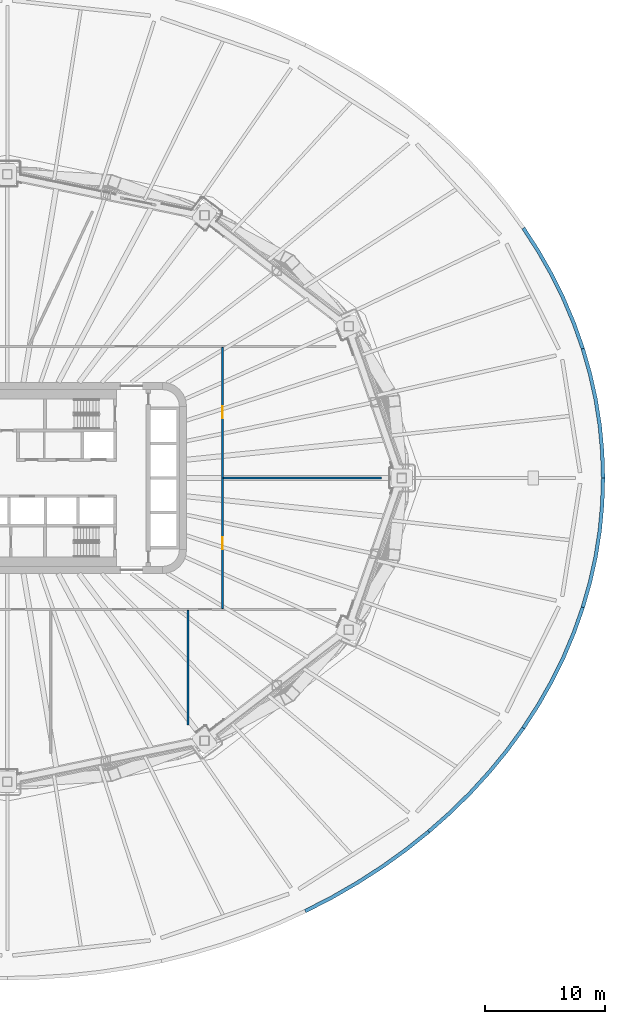
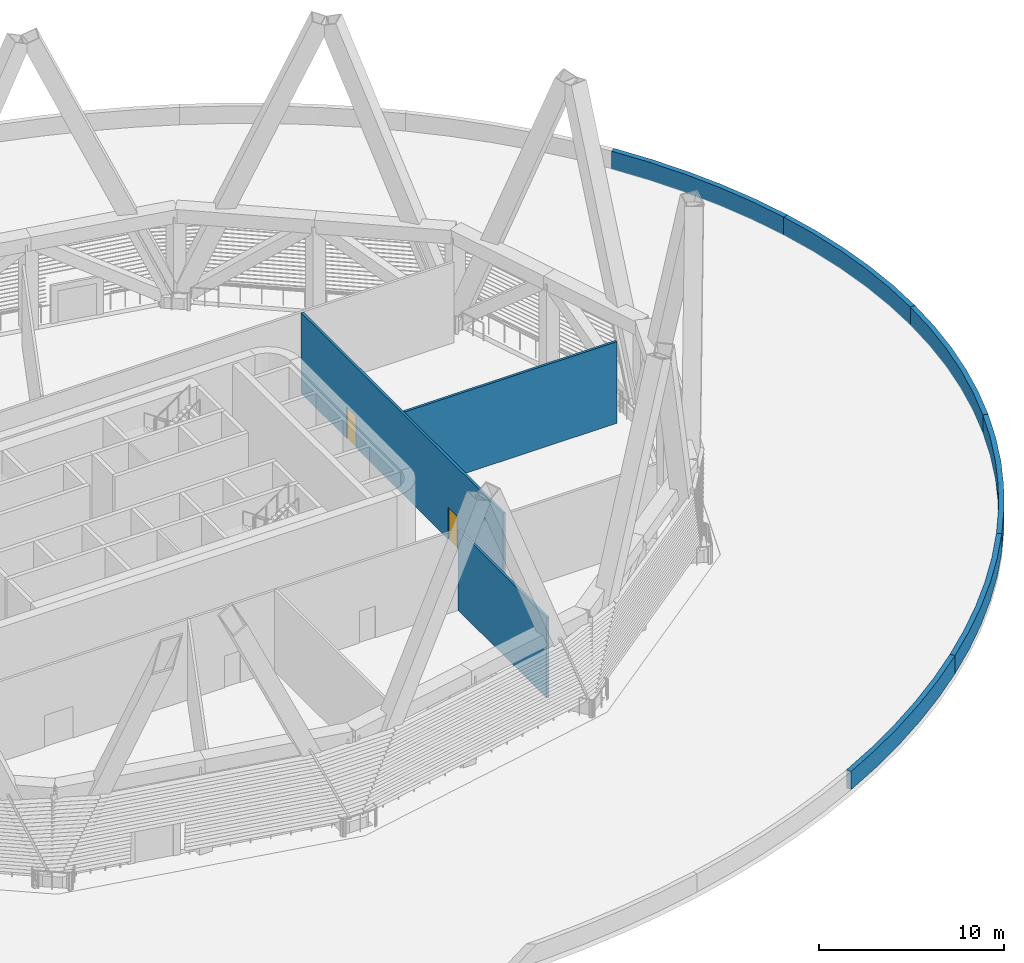
# One storey, part 11 of 27: 9 walls, 2 doors, 2 openings.
"""IFC4 building model written with IfcOpenShell, lengths in metres."""

import ifcopenshell
import ifcopenshell.guid

model = None  # the IFC model being written
_history = None  # IfcOwnerHistory: only IFC2X3 demands one
_inside = {}  # id of a spatial element -> (the spatial element, [elements in it])
_under = {}  # id of a project, library or spatial element -> (it, [spatial elements below it])
_declared = {}  # id of a project -> (the project, [libraries it declares])
_typed = {}  # id of a type object -> (the type object, [elements of that type])
_made_of = {}  # id of a material, layer set ... -> (it, [elements and type objects made of it])


def new_model(schema):
    """Start an empty IFC model of exactly this schema.

    Asked for "IFC4X3", IfcOpenShell would pick the latest addendum, in which some entities
    have other attributes; the version numbers below select the first issue.
    IFC2X3 requires an IfcOwnerHistory on every rooted entity: one is made here for all.
    """
    global model, _history
    if schema == "IFC4X3":
        model = ifcopenshell.file(schema_version=(4, 3, 0, 0))
    else:
        model = ifcopenshell.file(schema=schema)
    _inside.clear()
    _under.clear()
    _declared.clear()
    _typed.clear()
    _made_of.clear()
    _history = None
    if model.schema == "IFC2X3":
        org = make("IfcOrganization", Name="unknown")
        user = make(
            "IfcPersonAndOrganization",
            ThePerson=make("IfcPerson", FamilyName="unknown"),
            TheOrganization=org,
        )
        app = make(
            "IfcApplication",
            ApplicationDeveloper=org,
            Version="unknown",
            ApplicationFullName="unknown",
            ApplicationIdentifier="unknown",
        )
        _history = make(
            "IfcOwnerHistory",
            OwningUser=user,
            OwningApplication=app,
            ChangeAction="ADDED",
            CreationDate=0,
        )
    return model


def make(cls, **values):
    """One entity of the class cls with the attributes given. An attribute that is None is left unset."""
    return model.create_entity(
        cls, **{name: value for name, value in values.items() if value is not None}
    )


def rooted(cls, **values):
    """An entity with a GlobalId (a new one), such as an element, a storey or a relation."""
    return make(cls, GlobalId=ifcopenshell.guid.new(), OwnerHistory=_history, **values)


def si_unit(unit_type, name, prefix=None):
    """IfcSIUnit, for example si_unit("LENGTHUNIT", "METRE", prefix="MILLI")."""
    return make("IfcSIUnit", UnitType=unit_type, Prefix=prefix, Name=name)


def assignment(units):
    """IfcUnitAssignment: the units of a project."""
    return None if units is None else make("IfcUnitAssignment", Units=units)


def point(xyz):
    """IfcCartesianPoint."""
    return None if xyz is None else make("IfcCartesianPoint", Coordinates=xyz)


def direction(xyz):
    """IfcDirection."""
    return None if xyz is None else make("IfcDirection", DirectionRatios=xyz)


def frame(location, z_axis=None, x_axis=None):
    """IfcAxis2Placement3D, a coordinate frame: its origin and axes. An axis left out is left unset."""
    return make(
        "IfcAxis2Placement3D",
        Location=point(location),
        Axis=direction(z_axis),
        RefDirection=direction(x_axis),
    )


def frame_2d(location, x_axis=None):
    """IfcAxis2Placement2D, a coordinate frame in the plane: its origin and x axis."""
    return make(
        "IfcAxis2Placement2D", Location=point(location), RefDirection=direction(x_axis)
    )


def origin():
    """The frame at (0, 0, 0) with its axes left unset."""
    return frame((0.0, 0.0, 0.0))


def place(relative_to, where):
    """IfcLocalPlacement: puts the frame where relative to a parent placement (None: the world)."""
    return make(
        "IfcLocalPlacement", PlacementRelTo=relative_to, RelativePlacement=where
    )


def context(
    kind, dimensions, precision=None, world=None, true_north=None, identifier=None
):
    """IfcGeometricRepresentationContext, for example the 3D "Model" context."""
    return make(
        "IfcGeometricRepresentationContext",
        ContextIdentifier=identifier,
        ContextType=kind,
        CoordinateSpaceDimension=dimensions,
        Precision=precision,
        WorldCoordinateSystem=world,
        TrueNorth=true_north,
    )


def subcontext(parent, identifier, kind, view, scale=None):
    """IfcGeometricRepresentationSubContext, for example "Body" below "Model"."""
    return make(
        "IfcGeometricRepresentationSubContext",
        ContextIdentifier=identifier,
        ContextType=kind,
        ParentContext=parent,
        TargetScale=scale,
        TargetView=view,
    )


def project(units=None, contexts=None):
    """IfcProject with its units and contexts."""
    return rooted(
        "IfcProject",
        Name="project",
        RepresentationContexts=contexts,
        UnitsInContext=assignment(units),
    )


def spatial(cls, under=None, at=None, **own):
    """A site, building, storey or space (cls), placed at a placement, below another one or the project."""
    s = rooted(cls, ObjectPlacement=at, **own)
    if under is not None:
        _under.setdefault(under.id(), (under, []))[1].append(s)
    return s


def polyline(points):
    """IfcPolyline through the points."""
    return make("IfcPolyline", Points=[point(p) for p in points])


def profile(cls, at=None, kind="AREA", **sizes):
    """A parametric profile (cls). Its sizes go by their IFC names, for example OverallWidth=200.0."""
    return make(cls, ProfileType=kind, Position=at, **sizes)


def rectangle(**sizes):
    """IfcRectangleProfileDef."""
    return profile("IfcRectangleProfileDef", **sizes)


def outline(outer, holes=None, kind="AREA"):
    """IfcArbitraryClosedProfileDef: a profile drawn as a closed curve; with holes, ...WithVoids."""
    if holes is None:
        return make("IfcArbitraryClosedProfileDef", ProfileType=kind, OuterCurve=outer)
    return make(
        "IfcArbitraryProfileDefWithVoids",
        ProfileType=kind,
        OuterCurve=outer,
        InnerCurves=holes,
    )


def extrude(swept, where, along, depth):
    """IfcExtrudedAreaSolid: the profile swept, set in the frame where, extruded along a direction by depth."""
    return make(
        "IfcExtrudedAreaSolid",
        SweptArea=swept,
        Position=where,
        ExtrudedDirection=direction(along),
        Depth=depth,
    )


def shape(context_of_items, identifier, shape_type, items):
    """IfcShapeRepresentation: the items that make up one representation, for example the "Body"."""
    return make(
        "IfcShapeRepresentation",
        ContextOfItems=context_of_items,
        RepresentationIdentifier=identifier,
        RepresentationType=shape_type,
        Items=items,
    )


def material(Name=None, Category=None):
    """IfcMaterial."""
    return make("IfcMaterial", Name=Name, Category=Category)


def layer(
    of_material, thickness, ventilated=None, Name=None, Category=None, Priority=None
):
    """IfcMaterialLayer: one layer of a wall or slab, of a material (None: an air gap)."""
    return make(
        "IfcMaterialLayer",
        Material=of_material,
        LayerThickness=thickness,
        IsVentilated=ventilated,
        Name=Name,
        Category=Category,
        Priority=Priority,
    )


def layer_set(layers, Name=None):
    """IfcMaterialLayerSet."""
    return make("IfcMaterialLayerSet", MaterialLayers=layers, LayerSetName=Name)


def made_of(thing, what):
    """Note that an element or type object is made of a material, layer set ...; save() writes the relation."""
    if what is not None:
        _made_of.setdefault(what.id(), (what, []))[1].append(thing)
    return thing


def type_object(cls, material=None, **own):
    """A type object (cls), such as IfcWallType, which elements share."""
    return made_of(rooted(cls, **own), material)


def element(
    cls,
    number,
    at=None,
    inside=None,
    cuts=None,
    type_object=None,
    material=None,
    context=None,
    identifier="Body",
    shape_type=None,
    held_by="IfcProductDefinitionShape",
    body=None,
    shapes=None,
    **own,
):
    """One element of the class cls, such as IfcWall. Its Tag is "e" and its number.

    at: its placement. inside: the storey or other place that contains it. cuts: it is an
    opening in that element (IfcRelVoidsElement). A single representation is given by context,
    identifier, shape_type and body (its items); several are given by shapes. held_by: the class
    of the entity that holds the representations. save() writes the other relations.
    """
    e = rooted(cls, Tag="e%d" % number, ObjectPlacement=at, **own)
    if body is not None:
        shapes = [shape(context, identifier, shape_type, body)]
    if shapes is not None:
        e.Representation = make(held_by, Representations=shapes)
    if inside is not None:
        _inside.setdefault(inside.id(), (inside, []))[1].append(e)
    if cuts is not None:
        rooted(
            "IfcRelVoidsElement", RelatingBuildingElement=cuts, RelatedOpeningElement=e
        )
    if type_object is not None:
        _typed.setdefault(type_object.id(), (type_object, []))[1].append(e)
    return made_of(e, material)


def fill(opening, filler):
    """IfcRelFillsElement: the door or window that sits in an opening."""
    return rooted(
        "IfcRelFillsElement",
        RelatingOpeningElement=opening,
        RelatedBuildingElement=filler,
    )


def aggregate(whole, parts):
    """IfcRelAggregates: a whole, such as a stair, and the parts it consists of."""
    return rooted("IfcRelAggregates", RelatingObject=whole, RelatedObjects=parts)


def save(model, path):
    """Write the relations noted so far, then the file.

    IfcRelAggregates (storeys below a building ...), IfcRelContainedInSpatialStructure (elements
    in a storey), IfcRelDefinesByType, IfcRelAssociatesMaterial and IfcRelDeclares: one each for
    every whole, place, type object, material and project.
    """
    for whole, parts in _under.values():
        aggregate(whole, parts)
    for where, things in _inside.values():
        rooted(
            "IfcRelContainedInSpatialStructure",
            RelatedElements=things,
            RelatingStructure=where,
        )
    for kind, things in _typed.values():
        rooted("IfcRelDefinesByType", RelatedObjects=things, RelatingType=kind)
    for what, things in _made_of.values():
        rooted("IfcRelAssociatesMaterial", RelatedObjects=things, RelatingMaterial=what)
    for by, libraries in _declared.values():
        rooted("IfcRelDeclares", RelatingContext=by, RelatedDefinitions=libraries)
    model.write(path)


model = new_model("IFC4")

# Units and contexts
model_context = context("Model", 3, precision=1e-05, world=origin(), true_north=direction((0.0, 1.0)))
body_context = subcontext(model_context, "Body", "Model", "MODEL_VIEW")
ifc_project = project(units=[si_unit("LENGTHUNIT", "METRE"), si_unit("AREAUNIT", "SQUARE_METRE"), si_unit("VOLUMEUNIT", "CUBIC_METRE"), si_unit("PLANEANGLEUNIT", "RADIAN"), si_unit("MASSUNIT", "GRAM", prefix="KILO")], contexts=[model_context])

# Site, building, storey
site_placement = place(None, origin())
site = spatial("IfcSite", under=ifc_project, at=site_placement, CompositionType="ELEMENT")
building_placement = place(site_placement, origin())
building = spatial("IfcBuilding", under=site, at=building_placement, Name="Sahrelin Media Tower", CompositionType="ELEMENT")
storey_placement = place(building_placement, frame((0.0, 0.0, 44.0)))
storey = spatial("IfcBuildingStorey", under=building, at=storey_placement, Name="L06", CompositionType="ELEMENT", Elevation=44.0)

# Wall, openings, doors
ifc_material_1 = material(Name="Fire-rated gypsum board partition")
ifc_layer_1 = layer(ifc_material_1, 0.14990234375)
ifc_layer_set_1 = layer_set([ifc_layer_1], Name="Fire-rated partition 150")
wall_type_1 = type_object("IfcWallType", Name="Fire-rated partition 150", PredefinedType="PARTITIONING", material=ifc_layer_set_1)
wall_1_placement = place(storey_placement, frame((18.0, -10.925048828125, 0.0), z_axis=(0.0, 0.0, 1.0), x_axis=(0.0, 1.0, 0.0)))
wall_1 = element("IfcWall", 1, at=wall_1_placement, inside=storey, type_object=wall_type_1, Name="Wall", PredefinedType="PARTITIONING", context=body_context, shape_type="SweptSolid", body=[
    extrude(rectangle(XDim=21.85009765625, YDim=0.14990234375, at=frame_2d((10.925048828125, 0.0))), origin(), (0.0, 0.0, 1.0), 5.326904296875),
])
opening_1_placement = place(wall_1_placement, frame((4.949951171875, 0.0, 0.0)))
opening_1 = element("IfcOpeningElement", 2, at=opening_1_placement, cuts=wall_1, Name="Opening L06-D22", PredefinedType="OPENING", context=body_context, shape_type="SweptSolid", body=[
    extrude(rectangle(XDim=1.0, YDim=2.10009765625, at=frame_2d((0.5, 1.050048828125))), frame((0.0, 0.074951171875, 0.0), z_axis=(0.0, -1.0, 0.0), x_axis=(1.0, 0.0, 0.0)), (0.0, 0.0, 1.0), 0.14990234375),
])
opening_2_placement = place(wall_1_placement, frame((15.925048828125, 0.0, 0.0)))
opening_2 = element("IfcOpeningElement", 3, at=opening_2_placement, cuts=wall_1, Name="Opening L06-D23", PredefinedType="OPENING", context=body_context, shape_type="SweptSolid", body=[
    extrude(rectangle(XDim=1.0, YDim=2.10009765625, at=frame_2d((0.5, 1.050048828125))), frame((0.0, 0.074951171875, 0.0), z_axis=(0.0, -1.0, 0.0), x_axis=(1.0, 0.0, 0.0)), (0.0, 0.0, 1.0), 0.14990234375),
])
ifc_material_2 = material(Name="Steel fire door leaf", Category="steel")
door_type = type_object("IfcDoorType", Name="Fire door 1000 x 2100 EI 60", OperationType="NOTDEFINED", PredefinedType="DOOR", material=ifc_material_2)
door_1_placement = place(opening_1_placement, origin())
door_1 = element("IfcDoor", 4, at=door_1_placement, inside=storey, type_object=door_type, Name="Fire door", OperationType="SINGLE_SWING_LEFT", OverallHeight=2.10009765625, OverallWidth=1.0, PredefinedType="DOOR", context=body_context, shape_type="SweptSolid", body=[
    extrude(rectangle(XDim=1.0, YDim=2.10009765625, at=frame_2d((0.5, 1.050048828125))), frame((0.0, 0.02490234375, 0.0), z_axis=(0.0, -1.0, 0.0), x_axis=(1.0, 0.0, 0.0)), (0.0, 0.0, 1.0), 0.050048828125),
])
fill(opening_1, door_1)
door_2_placement = place(opening_2_placement, origin())
door_2 = element("IfcDoor", 5, at=door_2_placement, inside=storey, type_object=door_type, Name="Fire door", OperationType="SINGLE_SWING_RIGHT", OverallHeight=2.10009765625, OverallWidth=1.0, PredefinedType="DOOR", context=body_context, shape_type="SweptSolid", body=[
    extrude(rectangle(XDim=1.0, YDim=2.10009765625, at=frame_2d((0.5, 1.050048828125))), frame((0.0, 0.02490234375, 0.0), z_axis=(0.0, -1.0, 0.0), x_axis=(1.0, 0.0, 0.0)), (0.0, 0.0, 1.0), 0.050048828125),
])
fill(opening_2, door_2)

# Walls
wall_2_placement = place(storey_placement, frame((15.1201171875, -11.074951171875, 0.0), z_axis=(0.0, 0.0, 1.0), x_axis=(0.0, -1.0, 0.0)))
element("IfcWall", 6, at=wall_2_placement, inside=storey, type_object=wall_type_1, Name="Wall", PredefinedType="PARTITIONING", context=body_context, shape_type="SweptSolid", body=[
    extrude(rectangle(XDim=9.572998046875, YDim=0.14990234375, at=frame_2d((4.78662109375, 0.0))), origin(), (0.0, 0.0, 1.0), 5.326904296875),
])
wall_3_placement = place(storey_placement, frame((18.074951171875, 0.0, 0.0), z_axis=(0.0, 0.0, 1.0), x_axis=(1.0, 0.0, 0.0)))
element("IfcWall", 7, at=wall_3_placement, inside=storey, type_object=wall_type_1, Name="Wall", PredefinedType="PARTITIONING", context=body_context, shape_type="SweptSolid", body=[
    extrude(rectangle(XDim=13.23095703125, YDim=0.14990234375, at=frame_2d((6.615478515625, 0.0))), origin(), (0.0, 0.0, 1.0), 5.39501953125),
])
ifc_material_3 = material(Name="Concrete C40/50", Category="concrete")
ifc_layer_2 = layer(ifc_material_3, 0.300048828125)
ifc_layer_set_2 = layer_set([ifc_layer_2], Name="Podium parapet")
wall_type_2 = type_object("IfcWallType", Name="Podium parapet", PredefinedType="PARAPET", material=ifc_layer_set_2)
placement = place(storey_placement, origin())
element("IfcWall", 8, at=placement, inside=storey, type_object=wall_type_2, Name="Podium roof parapet 1", PredefinedType="PARAPET", context=body_context, shape_type="SweptSolid", body=[
    extrude(outline(polyline([(50.0, 0.0), (49.931396484375, 2.197998046875), (49.72607421875, 4.39013671875), (49.384521484375, 6.5703125), (48.907470703125, 8.732421875), (48.29638671875, 10.870361328125), (48.010498046875, 10.779296875), (48.61669921875, 8.65869140625), (49.089599609375, 6.5146484375), (49.428466796875, 4.35302734375), (49.632080078125, 2.179443359375), (49.699951171875, 0.0), (50.0, 0.0)])), origin(), (0.0, 0.0, 1.0), 1.199951171875),
])
element("IfcWall", 9, at=placement, inside=storey, type_object=wall_type_2, Name="Podium roof parapet 2", PredefinedType="PARAPET", context=body_context, shape_type="SweptSolid", body=[
    extrude(outline(polyline([(48.29638671875, 10.870361328125), (47.552734375, 12.978759765625), (46.678955078125, 15.051513671875), (45.67724609375, 17.0830078125), (44.55029296875, 19.067626953125), (43.30126953125, 21.0), (43.05419921875, 20.830078125), (44.293701171875, 18.912109375), (45.412109375, 16.9423828125), (46.406005859375, 14.9267578125), (47.27294921875, 12.87060546875), (48.010498046875, 10.779296875), (48.29638671875, 10.870361328125)])), origin(), (0.0, 0.0, 1.0), 1.199951171875),
])
element("IfcWall", 10, at=placement, inside=storey, type_object=wall_type_2, Name="Podium roof parapet 21", PredefinedType="PARAPET", context=body_context, shape_type="SweptSolid", body=[
    extrude(outline(polyline([(25.0, -36.373046875), (27.23193359375, -35.22412109375), (29.389404296875, -33.978759765625), (31.466064453125, -32.64013671875), (33.45654296875, -31.212158203125), (35.355224609375, -29.698486328125), (35.162353515625, -29.46875), (33.275390625, -30.972900390625), (31.29736328125, -32.39208984375), (29.23291015625, -33.72265625), (27.08837890625, -34.960693359375), (24.869140625, -36.103271484375), (25.0, -36.373046875)])), origin(), (0.0, 0.0, 1.0), 1.199951171875),
])
element("IfcWall", 11, at=placement, inside=storey, type_object=wall_type_2, Name="Podium roof parapet 22", PredefinedType="PARAPET", context=body_context, shape_type="SweptSolid", body=[
    extrude(outline(polyline([(35.355224609375, -29.698486328125), (37.1572265625, -28.103515625), (38.857421875, -26.431396484375), (40.45068359375, -24.68701171875), (41.93359375, -22.874755859375), (43.30126953125, -21.0), (43.05419921875, -20.830078125), (41.6962890625, -22.69140625), (40.223876953125, -24.49072265625), (38.641357421875, -26.223388671875), (36.95263671875, -27.884033203125), (35.162353515625, -29.46875), (35.355224609375, -29.698486328125)])), origin(), (0.0, 0.0, 1.0), 1.199951171875),
])
element("IfcWall", 12, at=placement, inside=storey, type_object=wall_type_2, Name="Podium roof parapet 23", PredefinedType="PARAPET", context=body_context, shape_type="SweptSolid", body=[
    extrude(outline(polyline([(43.30126953125, -21.0), (44.55029296875, -19.067626953125), (45.67724609375, -17.0830078125), (46.678955078125, -15.051513671875), (47.552734375, -12.978759765625), (48.29638671875, -10.870361328125), (48.010498046875, -10.779296875), (47.27294921875, -12.87060546875), (46.406005859375, -14.9267578125), (45.412109375, -16.9423828125), (44.293701171875, -18.912109375), (43.05419921875, -20.830078125), (43.30126953125, -21.0)])), origin(), (0.0, 0.0, 1.0), 1.199951171875),
])
element("IfcWall", 13, at=placement, inside=storey, type_object=wall_type_2, Name="Podium roof parapet 24", PredefinedType="PARAPET", context=body_context, shape_type="SweptSolid", body=[
    extrude(outline(polyline([(48.29638671875, -10.870361328125), (48.907470703125, -8.732421875), (49.384521484375, -6.5703125), (49.72607421875, -4.39013671875), (49.931396484375, -2.197998046875), (50.0, 0.0), (49.699951171875, 0.0), (49.632080078125, -2.179443359375), (49.428466796875, -4.35302734375), (49.089599609375, -6.5146484375), (48.61669921875, -8.65869140625), (48.010498046875, -10.779296875), (48.29638671875, -10.870361328125)])), origin(), (0.0, 0.0, 1.0), 1.199951171875),
])

save(model, "model.ifc")
